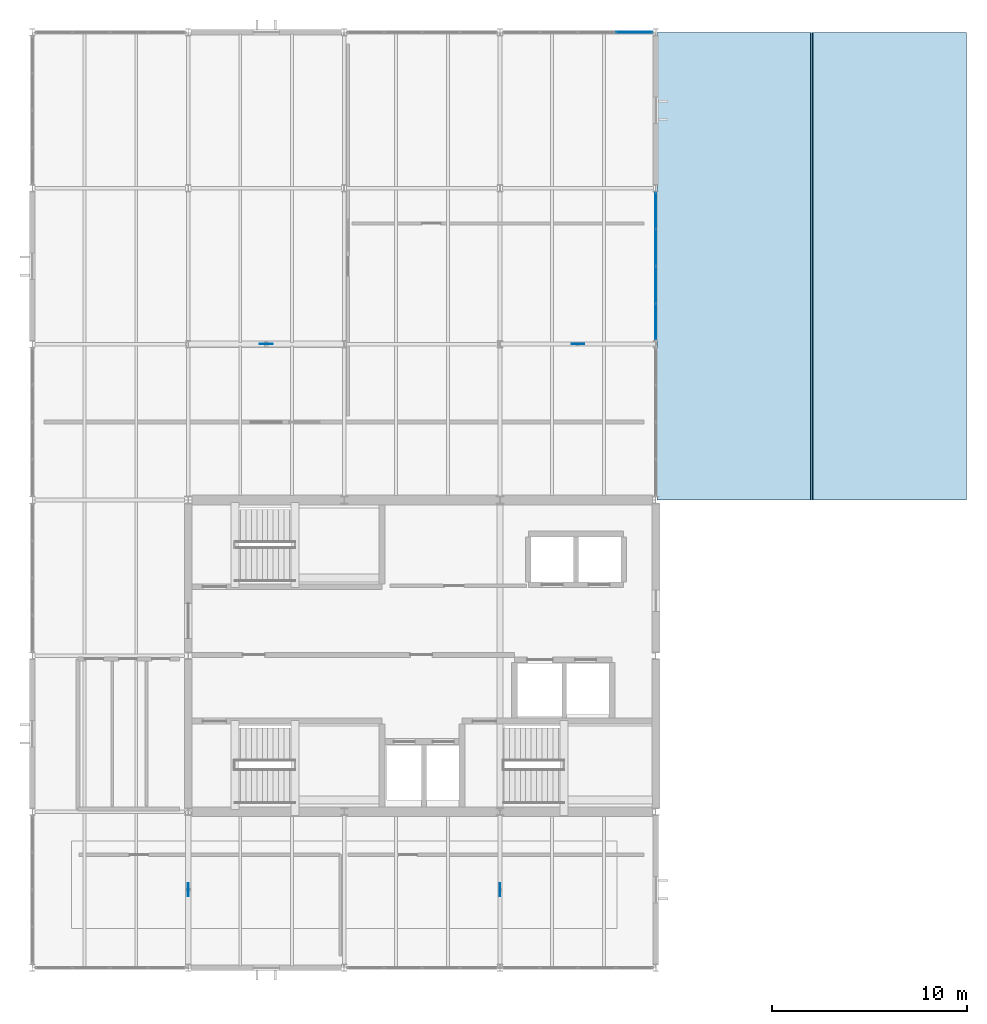
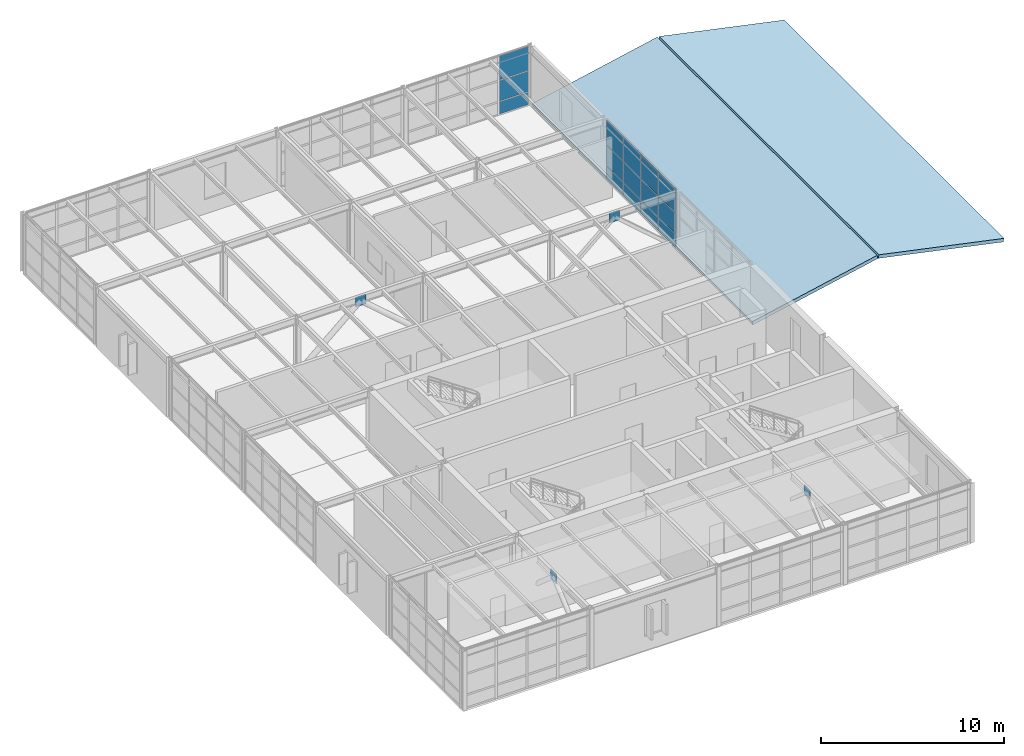
# One storey, part 15 of 20: 19 plates, 2 slabs, 2 elements without a shape of their own.
"""IFC4 building model written with IfcOpenShell, lengths in metres."""

from ifc_helpers import new_model, si_unit, direction, frame, origin, origin_2d, place, context, subcontext, project, spatial, polyline, rectangle, outline, extrude, material, layer, layer_set, type_object, element, aggregate, save


model = new_model("IFC4")

# Units and contexts
model_context = context("Model", 3, precision=1e-05, world=origin(), true_north=direction((0.0, 1.0)))
body_context = subcontext(model_context, "Body", "Model", "MODEL_VIEW")
ifc_project = project(units=[si_unit("LENGTHUNIT", "METRE"), si_unit("AREAUNIT", "SQUARE_METRE"), si_unit("VOLUMEUNIT", "CUBIC_METRE"), si_unit("PLANEANGLEUNIT", "RADIAN"), si_unit("MASSUNIT", "GRAM", prefix="KILO")], contexts=[model_context])

# Site, building, storey
site_placement = place(None, origin())
site = spatial("IfcSite", under=ifc_project, at=site_placement, CompositionType="ELEMENT")
building_placement = place(site_placement, origin())
building = spatial("IfcBuilding", under=site, at=building_placement, Name="Varnela Railside Interchange", CompositionType="ELEMENT")
storey_placement = place(building_placement, frame((0.0, 0.0, 28.0)))
storey = spatial("IfcBuildingStorey", under=building, at=storey_placement, Name="L06", CompositionType="ELEMENT", Elevation=28.0)

# Curtain wall, plates
ifc_material_1 = material(Name="Aluminium 6063-T6", Category="aluminium")
ifc_layer_1 = layer(ifc_material_1, 0.035888671875)
ifc_layer_set_1 = layer_set([ifc_layer_1], Name="Aluminium 6063-T6")
curtain_wall_type = type_object("IfcCurtainWallType", Name="Operations Wing Facade Curtain Wall CW-03", PredefinedType="USERDEFINED", material=ifc_layer_set_1)
curtain_wall_1_placement = place(storey_placement, origin())
curtain_wall_1 = element("IfcCurtainWall", 1, at=curtain_wall_1_placement, inside=storey, type_object=curtain_wall_type, Name="Curtain Wall CW-03 (L06) (CW-141)", ObjectType="CURTAIN WALL", PredefinedType="USERDEFINED")
ifc_material_2 = material(Name="Glass laminated double", Category="glass")
ifc_layer_2 = layer(ifc_material_2, 0.0400390625)
ifc_layer_set_2 = layer_set([ifc_layer_2], Name="Glass laminated double")
plate_type_1 = type_object("IfcPlateType", Name="Acoustic Laminated Vision GL-03", PredefinedType="CURTAIN_PANEL", material=ifc_layer_set_2)
plate_1_placement = place(storey_placement, frame((34.888671875, 94.0, 0.06005859375), z_axis=(0.0, 0.0, 1.0), x_axis=(1.0, 0.0, 0.0)))
plate_1 = element("IfcPlate", 2, at=plate_1_placement, type_object=plate_type_1, Name="CW-03 panel 4.1", PredefinedType="CURTAIN_PANEL", context=body_context, shape_type="SweptSolid", body=[
    extrude(rectangle(XDim=1.845703125, YDim=0.0400390625, at=origin_2d()), origin(), (0.0, 0.0, 1.0), 0.81005859375),
])
plate_2_placement = place(storey_placement, frame((34.888671875, 94.0, 0.93017578125), z_axis=(0.0, 0.0, 1.0), x_axis=(1.0, 0.0, 0.0)))
plate_2 = element("IfcPlate", 3, at=plate_2_placement, type_object=plate_type_1, Name="CW-03 panel 4.2", PredefinedType="CURTAIN_PANEL", context=body_context, shape_type="SweptSolid", body=[
    extrude(rectangle(XDim=1.845703125, YDim=0.0400390625, at=origin_2d()), origin(), (0.0, 0.0, 1.0), 1.348388671875),
])
plate_3_placement = place(storey_placement, frame((34.888671875, 94.0, 2.33837890625), z_axis=(0.0, 0.0, 1.0), x_axis=(1.0, 0.0, 0.0)))
plate_3 = element("IfcPlate", 4, at=plate_3_placement, type_object=plate_type_1, Name="CW-03 panel 4.3", PredefinedType="CURTAIN_PANEL", context=body_context, shape_type="SweptSolid", body=[
    extrude(rectangle(XDim=1.845703125, YDim=0.0400390625, at=origin_2d()), origin(), (0.0, 0.0, 1.0), 1.58154296875),
])
aggregate(curtain_wall_1, [plate_1, plate_2, plate_3])

curtain_wall_2_placement = place(storey_placement, origin())
curtain_wall_2 = element("IfcCurtainWall", 5, at=curtain_wall_2_placement, inside=storey, type_object=curtain_wall_type, Name="Curtain Wall CW-03 (L06) (CW-142)", ObjectType="CURTAIN WALL", PredefinedType="USERDEFINED")
plate_4_placement = place(storey_placement, frame((36.0, 84.848876953125, 0.06005859375), z_axis=(0.0, 0.0, 1.0), x_axis=(0.0, -1.0, 0.0)))
plate_4 = element("IfcPlate", 6, at=plate_4_placement, type_object=plate_type_1, Name="CW-03 panel 1.1", PredefinedType="CURTAIN_PANEL", context=body_context, shape_type="SweptSolid", body=[
    extrude(rectangle(XDim=1.8193359375, YDim=0.0400390625, at=origin_2d()), origin(), (0.0, 0.0, 1.0), 0.81005859375),
])
plate_5_placement = place(storey_placement, frame((36.0, 84.848876953125, 0.93017578125), z_axis=(0.0, 0.0, 1.0), x_axis=(0.0, -1.0, 0.0)))
plate_5 = element("IfcPlate", 7, at=plate_5_placement, type_object=plate_type_1, Name="CW-03 panel 1.2", PredefinedType="CURTAIN_PANEL", context=body_context, shape_type="SweptSolid", body=[
    extrude(rectangle(XDim=1.8193359375, YDim=0.0400390625, at=origin_2d()), origin(), (0.0, 0.0, 1.0), 1.348388671875),
])
plate_6_placement = place(storey_placement, frame((36.0, 84.848876953125, 2.33837890625), z_axis=(0.0, 0.0, 1.0), x_axis=(0.0, -1.0, 0.0)))
plate_6 = element("IfcPlate", 8, at=plate_6_placement, type_object=plate_type_1, Name="CW-03 panel 1.3", PredefinedType="CURTAIN_PANEL", context=body_context, shape_type="SweptSolid", body=[
    extrude(rectangle(XDim=1.8193359375, YDim=0.0400390625, at=origin_2d()), origin(), (0.0, 0.0, 1.0), 1.58154296875),
])
plate_7_placement = place(storey_placement, frame((36.0, 82.95458984375, 0.06005859375), z_axis=(0.0, 0.0, 1.0), x_axis=(0.0, -1.0, 0.0)))
plate_7 = element("IfcPlate", 9, at=plate_7_placement, type_object=plate_type_1, Name="CW-03 panel 2.1", PredefinedType="CURTAIN_PANEL", context=body_context, shape_type="SweptSolid", body=[
    extrude(rectangle(XDim=1.849365234375, YDim=0.0400390625, at=origin_2d()), origin(), (0.0, 0.0, 1.0), 0.81005859375),
])
plate_8_placement = place(storey_placement, frame((36.0, 82.95458984375, 0.93017578125), z_axis=(0.0, 0.0, 1.0), x_axis=(0.0, -1.0, 0.0)))
plate_8 = element("IfcPlate", 10, at=plate_8_placement, type_object=plate_type_1, Name="CW-03 panel 2.2", PredefinedType="CURTAIN_PANEL", context=body_context, shape_type="SweptSolid", body=[
    extrude(rectangle(XDim=1.849365234375, YDim=0.0400390625, at=origin_2d()), origin(), (0.0, 0.0, 1.0), 1.348388671875),
])
plate_9_placement = place(storey_placement, frame((36.0, 82.95458984375, 2.33837890625), z_axis=(0.0, 0.0, 1.0), x_axis=(0.0, -1.0, 0.0)))
plate_9 = element("IfcPlate", 11, at=plate_9_placement, type_object=plate_type_1, Name="CW-03 panel 2.3", PredefinedType="CURTAIN_PANEL", context=body_context, shape_type="SweptSolid", body=[
    extrude(rectangle(XDim=1.849365234375, YDim=0.0400390625, at=origin_2d()), origin(), (0.0, 0.0, 1.0), 1.58154296875),
])
plate_10_placement = place(storey_placement, frame((36.0, 81.04541015625, 0.06005859375), z_axis=(0.0, 0.0, 1.0), x_axis=(0.0, -1.0, 0.0)))
plate_10 = element("IfcPlate", 12, at=plate_10_placement, type_object=plate_type_1, Name="CW-03 panel 3.1", PredefinedType="CURTAIN_PANEL", context=body_context, shape_type="SweptSolid", body=[
    extrude(rectangle(XDim=1.849365234375, YDim=0.0400390625, at=origin_2d()), origin(), (0.0, 0.0, 1.0), 0.81005859375),
])
plate_11_placement = place(storey_placement, frame((36.0, 81.04541015625, 0.93017578125), z_axis=(0.0, 0.0, 1.0), x_axis=(0.0, -1.0, 0.0)))
plate_11 = element("IfcPlate", 13, at=plate_11_placement, type_object=plate_type_1, Name="CW-03 panel 3.2", PredefinedType="CURTAIN_PANEL", context=body_context, shape_type="SweptSolid", body=[
    extrude(rectangle(XDim=1.849365234375, YDim=0.0400390625, at=origin_2d()), origin(), (0.0, 0.0, 1.0), 1.348388671875),
])
plate_12_placement = place(storey_placement, frame((36.0, 81.04541015625, 2.33837890625), z_axis=(0.0, 0.0, 1.0), x_axis=(0.0, -1.0, 0.0)))
plate_12 = element("IfcPlate", 14, at=plate_12_placement, type_object=plate_type_1, Name="CW-03 panel 3.3", PredefinedType="CURTAIN_PANEL", context=body_context, shape_type="SweptSolid", body=[
    extrude(rectangle(XDim=1.849365234375, YDim=0.0400390625, at=origin_2d()), origin(), (0.0, 0.0, 1.0), 1.58154296875),
])
plate_13_placement = place(storey_placement, frame((36.0, 79.151123046875, 0.06005859375), z_axis=(0.0, 0.0, 1.0), x_axis=(0.0, -1.0, 0.0)))
plate_13 = element("IfcPlate", 15, at=plate_13_placement, type_object=plate_type_1, Name="CW-03 panel 4.1", PredefinedType="CURTAIN_PANEL", context=body_context, shape_type="SweptSolid", body=[
    extrude(rectangle(XDim=1.8193359375, YDim=0.0400390625, at=origin_2d()), origin(), (0.0, 0.0, 1.0), 0.81005859375),
])
plate_14_placement = place(storey_placement, frame((36.0, 79.151123046875, 0.93017578125), z_axis=(0.0, 0.0, 1.0), x_axis=(0.0, -1.0, 0.0)))
plate_14 = element("IfcPlate", 16, at=plate_14_placement, type_object=plate_type_1, Name="CW-03 panel 4.2", PredefinedType="CURTAIN_PANEL", context=body_context, shape_type="SweptSolid", body=[
    extrude(rectangle(XDim=1.8193359375, YDim=0.0400390625, at=origin_2d()), origin(), (0.0, 0.0, 1.0), 1.348388671875),
])
plate_15_placement = place(storey_placement, frame((36.0, 79.151123046875, 2.33837890625), z_axis=(0.0, 0.0, 1.0), x_axis=(0.0, -1.0, 0.0)))
plate_15 = element("IfcPlate", 17, at=plate_15_placement, type_object=plate_type_1, Name="CW-03 panel 4.3", PredefinedType="CURTAIN_PANEL", context=body_context, shape_type="SweptSolid", body=[
    extrude(rectangle(XDim=1.8193359375, YDim=0.0400390625, at=origin_2d()), origin(), (0.0, 0.0, 1.0), 1.58154296875),
])
aggregate(curtain_wall_2, [plate_4, plate_5, plate_6, plate_7, plate_8, plate_9, plate_10, plate_11, plate_12, plate_13, plate_14, plate_15])

# Plates
ifc_material_3 = material(Name="Steel AR 350 (350 MPa)", Category="steel")
ifc_layer_3 = layer(ifc_material_3, 0.64990234375)
ifc_layer_set_3 = layer_set([ifc_layer_3], Name="Steel AR 350 (350 MPa)")
plate_type_2 = type_object("IfcPlateType", Name="Brace Gusset Plate GP-01", PredefinedType="SHEET", material=ifc_layer_set_3)
for number, where, z_axis, x_axis, name in (
    (18, (16.0, 78.0, 3.304931640625), (0.0, 0.0, 1.0), (1.0, 0.0, 0.0), "Brace Gusset Plate GP-01 (L06) (PL-041)"),
    (19, (32.0, 78.0, 3.304931640625), (0.0, 0.0, 1.0), (1.0, 0.0, 0.0), "Brace Gusset Plate GP-01 (L06) (PL-042)"),
    (20, (12.0, 50.0, 3.304931640625), (0.0, 0.0, 1.0), (0.0, 1.0, 0.0), "Brace Gusset Plate GP-01 (L06) (PL-043)"),
    (21, (28.0, 50.0, 3.304931640625), (0.0, 0.0, 1.0), (0.0, 1.0, 0.0), "Brace Gusset Plate GP-01 (L06) (PL-044)"),
):
    element("IfcPlate", number, at=place(storey_placement, frame(where, z_axis=z_axis, x_axis=x_axis)), inside=storey, type_object=plate_type_2, Name=name, PredefinedType="SHEET", context=body_context, shape_type="SweptSolid", body=[
        extrude(rectangle(XDim=0.64990234375, YDim=0.030029296875, at=origin_2d()), origin(), (0.0, 0.0, 1.0), 0.64990234375),
    ])

# Slabs
ifc_material_4 = material(Name="Concrete C40", Category="concrete")
ifc_layer_4 = layer(ifc_material_4, 0.22998046875)
ifc_layer_set_4 = layer_set([ifc_layer_4], Name="Concrete C40")
slab_type = type_object("IfcSlabType", Name="Folded Concrete Pavilion Roof Shell FS-01", PredefinedType="ROOF", material=ifc_layer_set_4)
for number, where, z_axis, x_axis, name in (
    (22, (36.06005859375, 70.0, 0.034912109375), (-0.20673762497, 0.0, 0.978396419874), (0.978396419874, 0.0, 0.20673762497), "Folded Concrete Pavilion Roof Shell FS-01 (L06) (SL-0204)"),
    (23, (44.06005859375, 70.0, 1.699951171875), (0.20673762497, 0.0, 0.978396419874), (0.978396419874, 0.0, -0.20673762497), "Folded Concrete Pavilion Roof Shell FS-01 (L06) (SL-0205)"),
):
    element("IfcSlab", number, at=place(storey_placement, frame(where, z_axis=z_axis, x_axis=x_axis)), inside=storey, type_object=slab_type, Name=name, PredefinedType="ROOF", context=body_context, shape_type="SweptSolid", body=[
        extrude(outline(polyline([(0.0, 0.0), (8.05387535403819, 0.0), (8.05387535403819, 24.0), (0.0, 24.0), (0.0, 0.0)])), origin(), (0.0, 0.0, -1.0), 0.22998046875),
    ])

save(model, "model.ifc")
